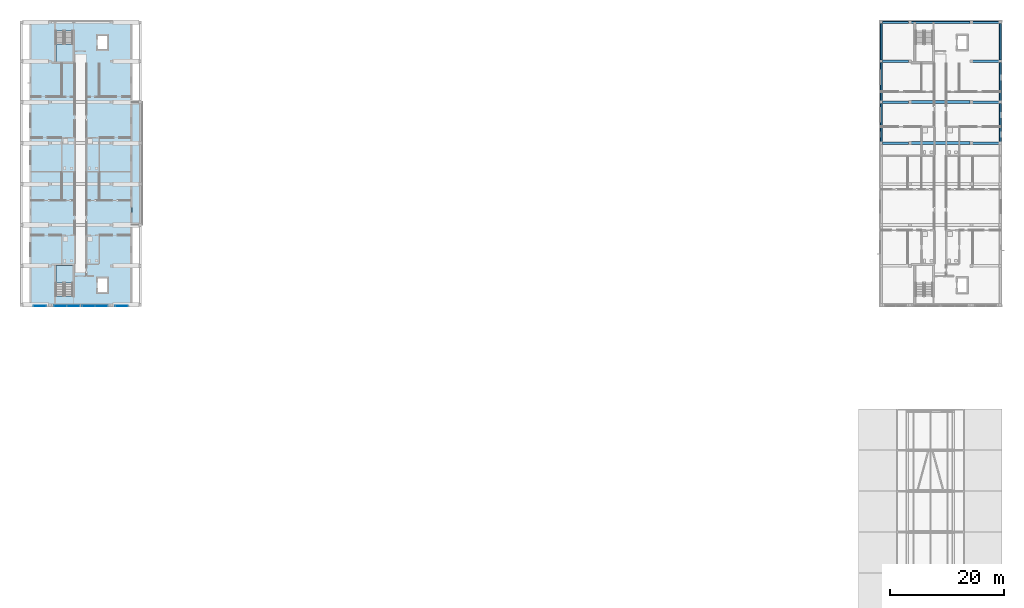
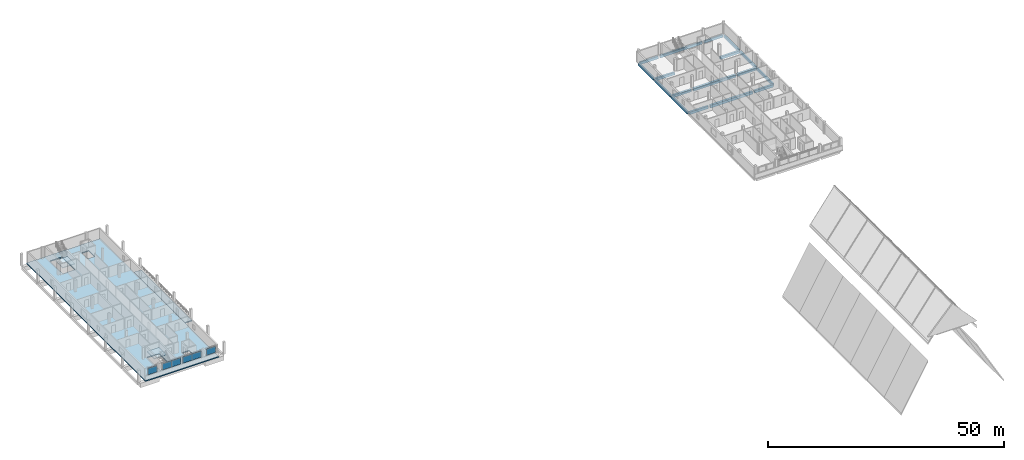
# One storey, part 10 of 29: 17 beams, 6 plates, 4 slabs, 6 elements without a shape of their own.
"""IFC4 building model written with IfcOpenShell, lengths in metres."""

from ifc_helpers import new_model, si_unit, derived_unit, direction, frame, origin, origin_2d, place, context, subcontext, project, spatial, polyline, rectangle, outline, extrude, material, layer, layer_set, material_profile, profile_set, type_object, element, aggregate, save


model = new_model("IFC4")

# Units and contexts
model_context = context("Model", 3, precision=1e-05, world=origin(), true_north=direction((0.0, 1.0)))
body_context = subcontext(model_context, "Body", "Model", "MODEL_VIEW")
ifc_project = project(units=[si_unit("LENGTHUNIT", "METRE"), si_unit("AREAUNIT", "SQUARE_METRE"), si_unit("VOLUMEUNIT", "CUBIC_METRE"), si_unit("PLANEANGLEUNIT", "RADIAN"), si_unit("MASSUNIT", "GRAM", prefix="KILO"), derived_unit("THERMALTRANSMITTANCEUNIT", [(si_unit("MASSUNIT", "GRAM", prefix="KILO"), 1), (si_unit("TIMEUNIT", "SECOND"), -3), (si_unit("THERMODYNAMICTEMPERATUREUNIT", "KELVIN"), -1)])], contexts=[model_context])

# Site, building, storey
site_placement = place(None, origin())
site = spatial("IfcSite", under=ifc_project, at=site_placement, CompositionType="ELEMENT")
building_placement = place(site_placement, origin())
building = spatial("IfcBuilding", under=site, at=building_placement, Name="Ochrekiln Boulevard Commons", CompositionType="ELEMENT")
storey_placement = place(building_placement, frame((0.0, 0.0, 37.27490234375)))
storey = spatial("IfcBuildingStorey", under=building, at=storey_placement, Name="L11", CompositionType="ELEMENT", Elevation=37.27490234375)

# Beams
ifc_material_1 = material(Name="Concrete C35/45", Category="concrete")
ifc_material_profile_1 = material_profile(ifc_material_1, rectangle(XDim=0.449951171875, YDim=0.64990234375, at=origin_2d()), Name="RC-BM-450x650")
ifc_profile_set_1 = profile_set([ifc_material_profile_1], Name="Concrete C35/45")
beam_type_1 = type_object("IfcBeamType", Name="BM-RC-450x650", PredefinedType="BEAM", material=ifc_profile_set_1)
for number, where, z_axis, x_axis, name in (
    (1, (151.760009765625, 97.199951171875, -0.5849609375), (1.0, 0.0, 0.0), (0.0, 1.0, 0.0), "Block B L11 Beam B-4565 X12"),
    (2, (167.610107421875, 97.199951171875, -0.5849609375), (1.0, 0.0, 0.0), (0.0, 1.0, 0.0), "Block B L11 Beam B-4565 X14"),
    (3, (151.760009765625, 104.39990234375, -0.5849609375), (1.0, 0.0, 0.0), (0.0, 1.0, 0.0), "Block B L11 Beam B-4565 X15"),
    (4, (167.610107421875, 104.39990234375, -0.5849609375), (1.0, 0.0, 0.0), (0.0, 1.0, 0.0), "Block B L11 Beam B-4565 X17"),
    (5, (151.760009765625, 111.60009765625, -0.5849609375), (1.0, 0.0, 0.0), (0.0, 1.0, 0.0), "Block B L11 Beam B-4565 X18"),
    (6, (167.610107421875, 111.60009765625, -0.5849609375), (1.0, 0.0, 0.0), (0.0, 1.0, 0.0), "Block B L11 Beam B-4565 X19"),
):
    element("IfcBeam", number, at=place(storey_placement, frame(where, z_axis=z_axis, x_axis=x_axis)), inside=storey, type_object=beam_type_1, Name=name, PredefinedType="BEAM", context=body_context, shape_type="SweptSolid", body=[
        extrude(rectangle(XDim=0.449951171875, YDim=0.64990234375, at=origin_2d()), origin(), (0.0, 0.0, 1.0), 4.6298828125),
    ])
ifc_material_2 = material(Name="Concrete C40/50", Category="concrete")
ifc_material_profile_2 = material_profile(ifc_material_2, rectangle(XDim=0.5, YDim=0.699951171875, at=origin_2d()), Name="RC-BM-500x700")
ifc_profile_set_2 = profile_set([ifc_material_profile_2], Name="Concrete C40/50")
beam_type_2 = type_object("IfcBeamType", Name="BM-RC-500x700", PredefinedType="BEAM", material=ifc_profile_set_2)
for number, where, z_axis, x_axis, name in (
    (7, (156.81005859375, 97.199951171875, -0.60986328125), (1.0, 0.0, 0.0), (0.0, 1.0, 0.0), "Block B L11 Beam B-5070 X13"),
    (8, (156.81005859375, 104.39990234375, -0.60986328125), (1.0, 0.0, 0.0), (0.0, 1.0, 0.0), "Block B L11 Beam B-5070 X16"),
):
    element("IfcBeam", number, at=place(storey_placement, frame(where, z_axis=z_axis, x_axis=x_axis)), inside=storey, type_object=beam_type_2, Name=name, PredefinedType="BEAM", context=body_context, shape_type="SweptSolid", body=[
        extrude(rectangle(XDim=0.5, YDim=0.699951171875, at=origin_2d()), origin(), (0.0, 0.0, 1.0), 10.3798828125),
    ])
ifc_material_profile_3 = material_profile(ifc_material_2, rectangle(XDim=0.35009765625, YDim=0.64990234375, at=origin_2d()), Name="RC-SPN-350x650")
ifc_profile_set_3 = profile_set([ifc_material_profile_3], Name="Concrete C40/50")
beam_type_3 = type_object("IfcBeamType", Name="SPN-RC-350x650", PredefinedType="SPANDREL", material=ifc_profile_set_3)
beam_1_placement = place(storey_placement, frame((151.760009765625, 118.449951171875, -0.5849609375), z_axis=(1.0, 0.0, 0.0), x_axis=(0.0, 1.0, 0.0)))
element("IfcBeam", 9, at=beam_1_placement, inside=storey, type_object=beam_type_3, Name="Block B L11 Beam SP-3565 X20", PredefinedType="SPANDREL", context=body_context, shape_type="SweptSolid", body=[
    extrude(rectangle(XDim=0.35009765625, YDim=0.64990234375, at=origin_2d()), origin(), (0.0, 0.0, 1.0), 4.6298828125),
])
beam_2_placement = place(storey_placement, frame((156.81005859375, 118.449951171875, -0.5849609375), z_axis=(1.0, 0.0, 0.0), x_axis=(0.0, 1.0, 0.0)))
element("IfcBeam", 10, at=beam_2_placement, inside=storey, type_object=beam_type_3, Name="Block B L11 Beam SP-3565 X21", PredefinedType="SPANDREL", context=body_context, shape_type="SweptSolid", body=[
    extrude(rectangle(XDim=0.35009765625, YDim=0.64990234375, at=origin_2d()), origin(), (0.0, 0.0, 1.0), 10.3798828125),
])
beam_3_placement = place(storey_placement, frame((167.610107421875, 118.449951171875, -0.5849609375), z_axis=(1.0, 0.0, 0.0), x_axis=(0.0, 1.0, 0.0)))
element("IfcBeam", 11, at=beam_3_placement, inside=storey, type_object=beam_type_3, Name="Block B L11 Beam SP-3565 X22", PredefinedType="SPANDREL", context=body_context, shape_type="SweptSolid", body=[
    extrude(rectangle(XDim=0.35009765625, YDim=0.64990234375, at=origin_2d()), origin(), (0.0, 0.0, 1.0), 4.6298828125),
])
beam_4_placement = place(storey_placement, frame((151.550048828125, 97.409912109375, -0.5849609375), z_axis=(0.0, 1.0, 0.0), x_axis=(-1.0, 0.0, 0.0)))
element("IfcBeam", 12, at=beam_4_placement, inside=storey, type_object=beam_type_3, Name="Block B L11 Beam SP-3565 Y27", PredefinedType="SPANDREL", context=body_context, shape_type="SweptSolid", body=[
    extrude(rectangle(XDim=0.35009765625, YDim=0.64990234375, at=origin_2d()), origin(), (0.0, 0.0, 1.0), 6.780029296875),
])
beam_5_placement = place(storey_placement, frame((151.550048828125, 104.610107421875, -0.5849609375), z_axis=(0.0, 1.0, 0.0), x_axis=(-1.0, 0.0, 0.0)))
element("IfcBeam", 13, at=beam_5_placement, inside=storey, type_object=beam_type_3, Name="Block B L11 Beam SP-3565 Y28", PredefinedType="SPANDREL", context=body_context, shape_type="SweptSolid", body=[
    extrude(rectangle(XDim=0.35009765625, YDim=0.64990234375, at=origin_2d()), origin(), (0.0, 0.0, 1.0), 6.77978515625),
])
beam_6_placement = place(storey_placement, frame((151.550048828125, 111.81005859375, -0.5849609375), z_axis=(0.0, 1.0, 0.0), x_axis=(-1.0, 0.0, 0.0)))
element("IfcBeam", 14, at=beam_6_placement, inside=storey, type_object=beam_type_3, Name="Block B L11 Beam SP-3565 Y29", PredefinedType="SPANDREL", context=body_context, shape_type="SweptSolid", body=[
    extrude(rectangle(XDim=0.35009765625, YDim=0.64990234375, at=origin_2d()), origin(), (0.0, 0.0, 1.0), 6.429931640625),
])
beam_7_placement = place(storey_placement, frame((172.449951171875, 97.409912109375, -0.5849609375), z_axis=(0.0, 1.0, 0.0), x_axis=(-1.0, 0.0, 0.0)))
element("IfcBeam", 15, at=beam_7_placement, inside=storey, type_object=beam_type_3, Name="Block B L11 Beam SP-3565 Y34", PredefinedType="SPANDREL", context=body_context, shape_type="SweptSolid", body=[
    extrude(rectangle(XDim=0.35009765625, YDim=0.64990234375, at=origin_2d()), origin(), (0.0, 0.0, 1.0), 6.780029296875),
])
beam_8_placement = place(storey_placement, frame((172.449951171875, 104.610107421875, -0.5849609375), z_axis=(0.0, 1.0, 0.0), x_axis=(-1.0, 0.0, 0.0)))
element("IfcBeam", 16, at=beam_8_placement, inside=storey, type_object=beam_type_3, Name="Block B L11 Beam SP-3565 Y35", PredefinedType="SPANDREL", context=body_context, shape_type="SweptSolid", body=[
    extrude(rectangle(XDim=0.35009765625, YDim=0.64990234375, at=origin_2d()), origin(), (0.0, 0.0, 1.0), 6.77978515625),
])
beam_9_placement = place(storey_placement, frame((172.449951171875, 111.81005859375, -0.5849609375), z_axis=(0.0, 1.0, 0.0), x_axis=(-1.0, 0.0, 0.0)))
element("IfcBeam", 17, at=beam_9_placement, inside=storey, type_object=beam_type_3, Name="Block B L11 Beam SP-3565 Y36", PredefinedType="SPANDREL", context=body_context, shape_type="SweptSolid", body=[
    extrude(rectangle(XDim=0.35009765625, YDim=0.64990234375, at=origin_2d()), origin(), (0.0, 0.0, 1.0), 6.429931640625),
])

# Curtain wall, plate
ifc_material_3 = material(Name="Bronze-anodized extruded aluminium 6063-T6", Category="aluminium")
ifc_layer_1 = layer(ifc_material_3, 0.172119140625)
ifc_layer_set_1 = layer_set([ifc_layer_1], Name="Bronze-anodized extruded aluminium 6063-T6")
curtain_wall_type = type_object("IfcCurtainWallType", Name="CW-GABLE-A", PredefinedType="USERDEFINED", material=ifc_layer_set_1)
curtain_wall_1_placement = place(storey_placement, origin())
curtain_wall_1 = element("IfcCurtainWall", 18, at=curtain_wall_1_placement, inside=storey, type_object=curtain_wall_type, Name="Block A L11 Courtyard Glazed Gable Curtain Wall 4", ObjectType="GLAZED CURTAIN WALL", PredefinedType="USERDEFINED")
ifc_material_4 = material(Name="Spectrally selective low-E insulated glazing", Category="glass")
ifc_layer_2 = layer(ifc_material_4, 0.02392578125)
ifc_layer_set_2 = layer_set([ifc_layer_2], Name="Spectrally selective low-E insulated glazing")
plate_type_1 = type_object("IfcPlateType", Name="CWP-GLZ-1", PredefinedType="CURTAIN_PANEL", material=ifc_layer_set_2)
plate_1_placement = place(storey_placement, frame((17.985107421875, 68.56005859375, 1.17529296875), z_axis=(0.0, 0.0, 1.0), x_axis=(1.0, 0.0, 0.0)))
plate_1 = element("IfcPlate", 19, at=plate_1_placement, type_object=plate_type_1, Name="CW-01 panel 1.1", PredefinedType="CURTAIN_PANEL", context=body_context, shape_type="SweptSolid", body=[
    extrude(rectangle(XDim=2.199951171875, YDim=0.02392578125, at=origin_2d()), origin(), (0.0, 0.0, 1.0), 1.659912109375),
])
aggregate(curtain_wall_1, [plate_1])

curtain_wall_2_placement = place(storey_placement, origin())
curtain_wall_2 = element("IfcCurtainWall", 20, at=curtain_wall_2_placement, inside=storey, type_object=curtain_wall_type, Name="Block A L11 Courtyard Glazed Gable Curtain Wall 1", ObjectType="GLAZED CURTAIN WALL", PredefinedType="USERDEFINED")
ifc_layer_3 = layer(ifc_material_4, 0.030029296875)
ifc_layer_set_3 = layer_set([ifc_layer_3], Name="Spectrally selective low-E insulated glazing")
plate_type_2 = type_object("IfcPlateType", Name="CWP-GLZ-2", PredefinedType="CURTAIN_PANEL", material=ifc_layer_set_3)
plate_2_placement = place(storey_placement, frame((3.614990234375, 68.56005859375, 1.170166015625), z_axis=(0.0, 0.0, 1.0), x_axis=(1.0, 0.0, 0.0)))
plate_2 = element("IfcPlate", 21, at=plate_2_placement, type_object=plate_type_2, Name="CW-01 panel 1.1", PredefinedType="CURTAIN_PANEL", context=body_context, shape_type="SweptSolid", body=[
    extrude(rectangle(XDim=2.2099609375, YDim=0.030029296875, at=origin_2d()), origin(), (0.0, 0.0, 1.0), 1.669921875),
])
aggregate(curtain_wall_2, [plate_2])

# Curtain wall, plates
curtain_wall_3_placement = place(storey_placement, origin())
curtain_wall_3 = element("IfcCurtainWall", 22, at=curtain_wall_3_placement, inside=storey, type_object=curtain_wall_type, Name="Block A L11 Courtyard Glazed Gable Curtain Wall 2", ObjectType="GLAZED CURTAIN WALL", PredefinedType="USERDEFINED")
ifc_layer_4 = layer(ifc_material_4, 0.035888671875)
ifc_layer_set_4 = layer_set([ifc_layer_4], Name="Spectrally selective low-E insulated glazing")
plate_type_3 = type_object("IfcPlateType", Name="CWP-GLZ-3", PredefinedType="CURTAIN_PANEL", material=ifc_layer_set_4)
plate_3_placement = place(storey_placement, frame((7.18115234375, 68.56005859375, 1.17529296875), z_axis=(0.0, 0.0, 1.0), x_axis=(1.0, 0.0, 0.0)))
plate_3 = element("IfcPlate", 23, at=plate_3_placement, type_object=plate_type_3, Name="CW-01 panel 1.1", PredefinedType="CURTAIN_PANEL", context=body_context, shape_type="SweptSolid", body=[
    extrude(rectangle(XDim=2.1923828125, YDim=0.035888671875, at=origin_2d()), origin(), (0.0, 0.0, 1.0), 1.659912109375),
])
plate_4_placement = place(storey_placement, frame((9.438720703125, 68.56005859375, 1.17529296875), z_axis=(0.0, 0.0, 1.0), x_axis=(1.0, 0.0, 0.0)))
plate_4 = element("IfcPlate", 24, at=plate_4_placement, type_object=plate_type_3, Name="CW-01 panel 2.1", PredefinedType="CURTAIN_PANEL", context=body_context, shape_type="SweptSolid", body=[
    extrude(rectangle(XDim=2.1923828125, YDim=0.035888671875, at=origin_2d()), origin(), (0.0, 0.0, 1.0), 1.659912109375),
])
aggregate(curtain_wall_3, [plate_3, plate_4])

curtain_wall_4_placement = place(storey_placement, origin())
curtain_wall_4 = element("IfcCurtainWall", 25, at=curtain_wall_4_placement, inside=storey, type_object=curtain_wall_type, Name="Block A L11 Courtyard Glazed Gable Curtain Wall 3", ObjectType="GLAZED CURTAIN WALL", PredefinedType="USERDEFINED")
ifc_layer_5 = layer(ifc_material_4, 0.0419921875)
ifc_layer_set_5 = layer_set([ifc_layer_5], Name="Spectrally selective low-E insulated glazing")
plate_type_4 = type_object("IfcPlateType", Name="CWP-GLZ-4", PredefinedType="CURTAIN_PANEL", material=ifc_layer_set_5)
plate_5_placement = place(storey_placement, frame((12.159912109375, 68.56005859375, 1.170166015625), z_axis=(0.0, 0.0, 1.0), x_axis=(1.0, 0.0, 0.0)))
plate_5 = element("IfcPlate", 26, at=plate_5_placement, type_object=plate_type_4, Name="CW-01 panel 1.1", PredefinedType="CURTAIN_PANEL", context=body_context, shape_type="SweptSolid", body=[
    extrude(rectangle(XDim=2.199951171875, YDim=0.0419921875, at=origin_2d()), origin(), (0.0, 0.0, 1.0), 1.669921875),
])
plate_6_placement = place(storey_placement, frame((14.419921875, 68.56005859375, 1.170166015625), z_axis=(0.0, 0.0, 1.0), x_axis=(1.0, 0.0, 0.0)))
plate_6 = element("IfcPlate", 27, at=plate_6_placement, type_object=plate_type_4, Name="CW-01 panel 2.1", PredefinedType="CURTAIN_PANEL", context=body_context, shape_type="SweptSolid", body=[
    extrude(rectangle(XDim=2.199951171875, YDim=0.0419921875, at=origin_2d()), origin(), (0.0, 0.0, 1.0), 1.669921875),
])
aggregate(curtain_wall_4, [plate_5, plate_6])

# Slab
ifc_layer_6 = layer(ifc_material_1, 0.219970703125)
ifc_layer_set_6 = layer_set([ifc_layer_6], Name="Concrete C35/45")
slab_type_1 = type_object("IfcSlabType", Name="SLB-BAL-220", PredefinedType="FLOOR", material=ifc_layer_set_6)
slab_1_placement = place(storey_placement, frame((0.0, 0.0, -0.219970703125)))
element("IfcSlab", 28, at=slab_1_placement, inside=storey, type_object=slab_type_1, Name="Block A L11 Setback Courtyard Loggia Terrace Slab", PredefinedType="FLOOR", context=body_context, shape_type="SweptSolid", body=[
    extrude(outline(polyline([(19.800048828125, 82.800048828125), (21.60009765625, 82.800048828125), (21.60009765625, 104.39990234375), (19.800048828125, 104.39990234375), (19.800048828125, 82.800048828125)])), origin(), (0.0, 0.0, 1.0), 0.219970703125),
])

# Stair, slab
stair_type = type_object("IfcStairType", Name="STR-DL-315", PredefinedType="TWO_STRAIGHT_RUN_STAIR", material=ifc_material_1)
stair_1_placement = place(storey_placement, origin())
stair_1 = element("IfcStair", 29, at=stair_1_placement, inside=storey, type_object=stair_type, Name="L11 Enclosed Exit Stair ST-A1", PredefinedType="TWO_STRAIGHT_RUN_STAIR")
ifc_layer_7 = layer(ifc_material_1, 0.199951171875)
ifc_layer_set_7 = layer_set([ifc_layer_7], Name="Concrete C35/45")
slab_type_2 = type_object("IfcSlabType", Name="SLB-LND-200", PredefinedType="LANDING", material=ifc_layer_set_7)
slab_2_placement = place(storey_placement, frame((0.0, 0.0, 1.375)))
slab_2 = element("IfcSlab", 30, at=slab_2_placement, type_object=slab_type_2, Name="ST-A1 landing 1", PredefinedType="LANDING", context=body_context, shape_type="SweptSolid", body=[
    extrude(outline(polyline([(9.39990234375, 72.590087890625), (9.39990234375, 75.719970703125), (6.39990234375, 75.719970703125), (6.39990234375, 72.590087890625), (9.39990234375, 72.590087890625)])), origin(), (0.0, 0.0, 1.0), 0.2001953125),
])
aggregate(stair_1, [slab_2])

stair_2_placement = place(storey_placement, origin())
stair_2 = element("IfcStair", 31, at=stair_2_placement, inside=storey, type_object=stair_type, Name="L11 Enclosed Exit Stair ST-A2", PredefinedType="TWO_STRAIGHT_RUN_STAIR")
slab_3_placement = place(storey_placement, frame((0.0, 0.0, 1.375)))
slab_3 = element("IfcSlab", 32, at=slab_3_placement, type_object=slab_type_2, Name="ST-A2 landing 1", PredefinedType="LANDING", context=body_context, shape_type="SweptSolid", body=[
    extrude(outline(polyline([(6.39990234375, 114.610107421875), (6.39990234375, 111.47998046875), (9.39990234375, 111.47998046875), (9.39990234375, 114.610107421875), (6.39990234375, 114.610107421875)])), origin(), (0.0, 0.0, 1.0), 0.2001953125),
])
aggregate(stair_2, [slab_3])

# Slab
ifc_layer_8 = layer(ifc_material_1, 0.260009765625)
ifc_layer_set_8 = layer_set([ifc_layer_8], Name="Concrete C35/45")
slab_type_3 = type_object("IfcSlabType", Name="SLB-RES-260", PredefinedType="FLOOR", material=ifc_layer_set_8)
slab_4_placement = place(storey_placement, frame((0.0, 0.0, -0.260009765625)))
element("IfcSlab", 33, at=slab_4_placement, inside=storey, type_object=slab_type_3, Name="Block A L11 Reinforced Concrete Floor Slab", PredefinedType="FLOOR", context=body_context, shape_type="SweptSolid", body=[
    extrude(outline(polyline([(1.800048828125, 68.39990234375), (19.800048828125, 68.39990234375), (19.800048828125, 118.800048828125), (1.800048828125, 118.800048828125), (1.800048828125, 68.39990234375)]), holes=[polyline([(9.39990234375, 70.2705078125), (9.39990234375, 75.719970703125), (6.39990234375, 75.719970703125), (6.39990234375, 70.2705078125), (9.39990234375, 70.2705078125)]), polyline([(6.39990234375, 116.929443359375), (6.39990234375, 111.47998046875), (9.39990234375, 111.47998046875), (9.39990234375, 116.929443359375), (6.39990234375, 116.929443359375)]), polyline([(13.75, 70.949951171875), (15.449951171875, 70.949951171875), (15.449951171875, 73.449951171875), (13.75, 73.449951171875), (13.75, 70.949951171875)]), polyline([(13.75, 113.64990234375), (15.449951171875, 113.64990234375), (15.449951171875, 116.14990234375), (13.75, 116.14990234375), (13.75, 113.64990234375)])]), origin(), (0.0, 0.0, 1.0), 0.260009765625),
])

save(model, "model.ifc")
